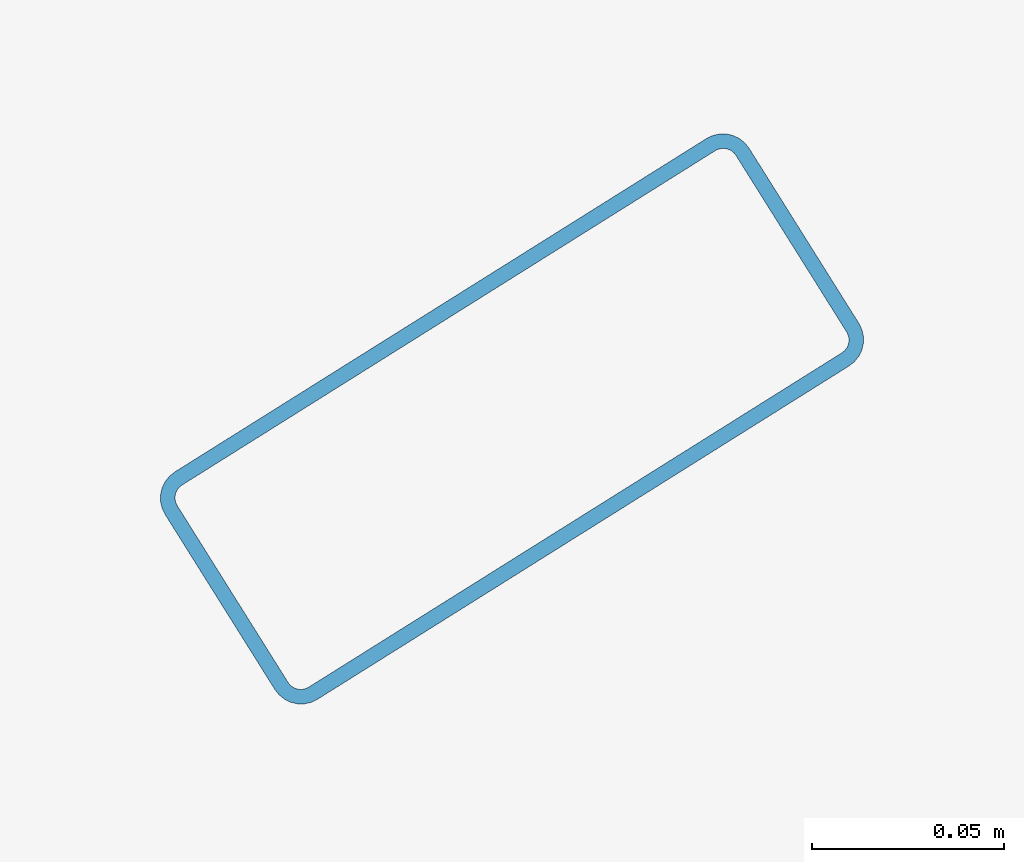
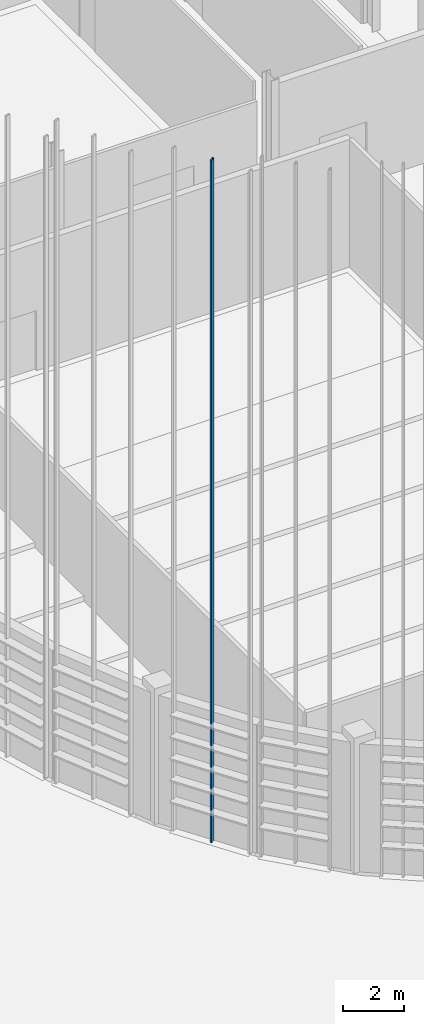
# One storey, part 22 of 372: 1 member.
"""IFC4 building model written with IfcOpenShell, lengths in metres."""

from ifc_helpers import new_model, si_unit, direction, frame, origin, origin_2d, place, context, subcontext, project, spatial, hollow_rectangle, extrude, material, material_profile, profile_set, type_object, element, save


model = new_model("IFC4")

# Units and contexts
model_context = context("Model", 3, precision=1e-05, world=origin(), true_north=direction((0.0, 1.0)))
body_context = subcontext(model_context, "Body", "Model", "MODEL_VIEW")
ifc_project = project(units=[si_unit("LENGTHUNIT", "METRE"), si_unit("AREAUNIT", "SQUARE_METRE"), si_unit("VOLUMEUNIT", "CUBIC_METRE"), si_unit("PLANEANGLEUNIT", "RADIAN"), si_unit("MASSUNIT", "GRAM", prefix="KILO")], contexts=[model_context])

# Site, building, storey
site_placement = place(None, origin())
site = spatial("IfcSite", under=ifc_project, at=site_placement, CompositionType="ELEMENT")
building_placement = place(site_placement, origin())
building = spatial("IfcBuilding", under=site, at=building_placement, Name="Kaelora Sail Theatre", CompositionType="ELEMENT")
storey_placement = place(building_placement, origin())
storey = spatial("IfcBuildingStorey", under=building, at=storey_placement, Name="L00", CompositionType="ELEMENT", Elevation=0.0)

# Member
ifc_material = material(Name="Anodised aluminium 6063-T6", Category="aluminium")
ifc_material_profile = material_profile(ifc_material, hollow_rectangle(XDim=0.070068359375, YDim=0.179931640625, WallThickness=0.00390625, InnerFilletRadius=0.00390625, OuterFilletRadius=0.008056640625, at=origin_2d()), Name="ALU-MULL 70x180x4")
ifc_profile_set = profile_set([ifc_material_profile], Name="Anodised aluminium 6063-T6")
member_type = type_object("IfcMemberType", Name="ARC-MEM-PST-160", PredefinedType="POST", material=ifc_profile_set)
member_placement = place(storey_placement, frame((30.518310546875, 30.93017578125, 0.0), z_axis=(0.0, 0.0, 1.0), x_axis=(-0.531250720758, 0.847214655028, 0.0)))
element("IfcMember", 1, at=member_placement, inside=storey, type_object=member_type, Name="Main Theatre Sail Drum solar louvre vertical support post C16-2", PredefinedType="POST", context=body_context, shape_type="SweptSolid", body=[
    extrude(hollow_rectangle(XDim=0.070068359375, YDim=0.179931640625, WallThickness=0.00390625, InnerFilletRadius=0.00390625, OuterFilletRadius=0.008056640625, at=origin_2d()), origin(), (0.0, 0.0, 1.0), 27.179443359375),
])

save(model, "model.ifc")
